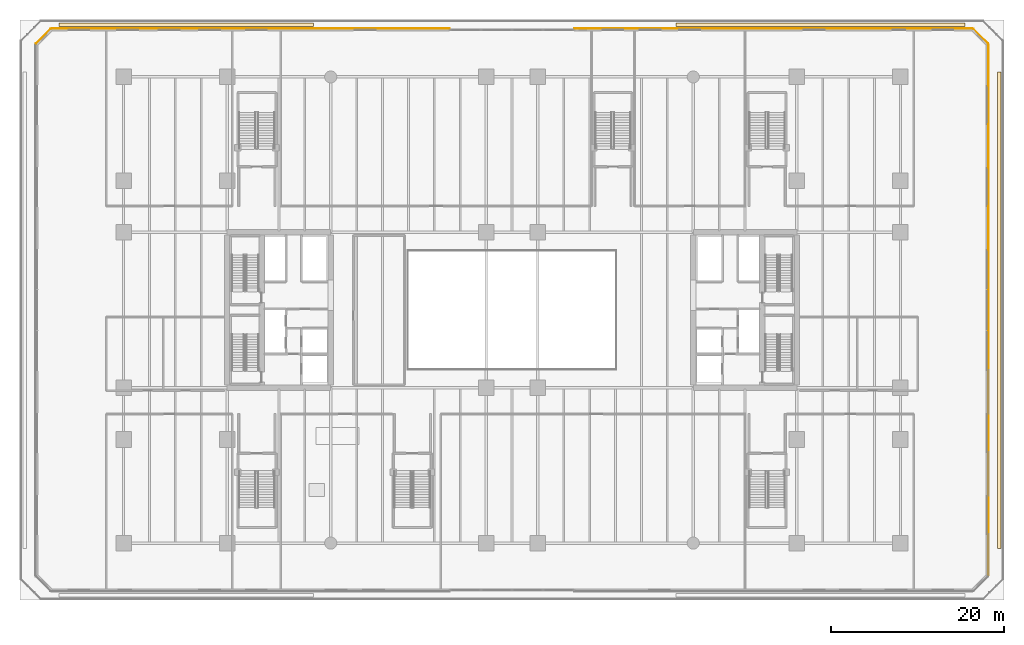
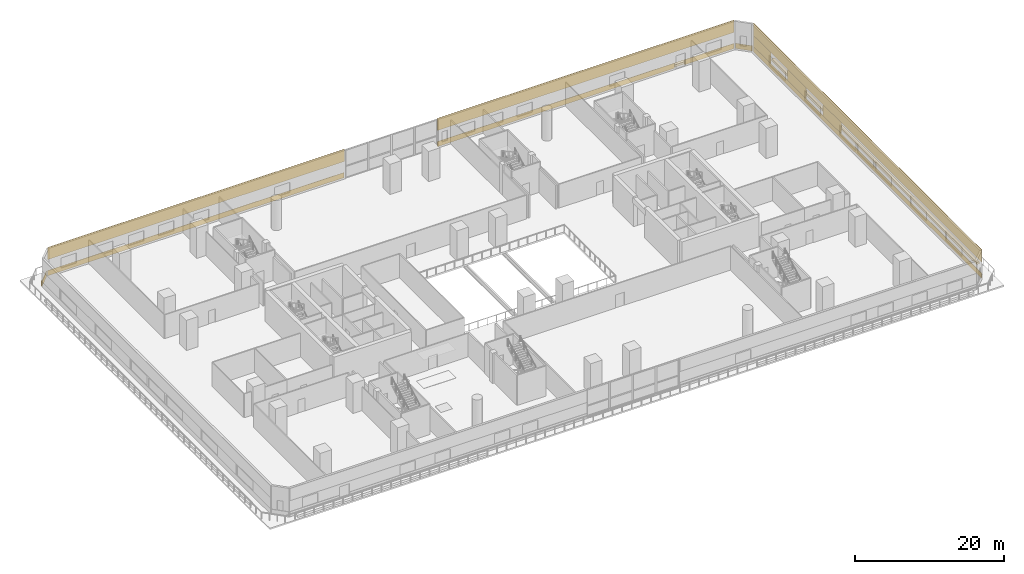
# One storey, part 24 of 24: 15 coverings.
"""IFC4 building model written with IfcOpenShell, lengths in metres."""

from ifc_helpers import new_model, si_unit, direction, frame, origin, origin_2d, place, context, subcontext, project, spatial, polyline, rectangle, outline, extrude, material, layer, layer_set, type_object, element, save


model = new_model("IFC4")

# Units and contexts
model_context = context("Model", 3, precision=1e-05, world=origin(), true_north=direction((0.0, 1.0)))
body_context = subcontext(model_context, "Body", "Model", "MODEL_VIEW")
ifc_project = project(units=[si_unit("LENGTHUNIT", "METRE"), si_unit("AREAUNIT", "SQUARE_METRE"), si_unit("VOLUMEUNIT", "CUBIC_METRE"), si_unit("PLANEANGLEUNIT", "RADIAN"), si_unit("MASSUNIT", "GRAM", prefix="KILO")], contexts=[model_context])

# Site, building, storey
site_placement = place(None, origin())
site = spatial("IfcSite", under=ifc_project, at=site_placement, CompositionType="ELEMENT")
building_placement = place(site_placement, origin())
building = spatial("IfcBuilding", under=site, at=building_placement, Name="Tanjung Sevakor Pilgrim Tower", CompositionType="ELEMENT")
storey_placement = place(building_placement, frame((0.0, 0.0, 4.949951171875)))
storey = spatial("IfcBuildingStorey", under=building, at=storey_placement, Name="L02", CompositionType="ELEMENT", Elevation=4.949951171875)

# Coverings
ifc_material_1 = material(Name="Reconstructed Limestone Cladding", Category="masonry")
ifc_layer_1 = layer(ifc_material_1, 0.044921875)
ifc_layer_set_1 = layer_set([ifc_layer_1], Name="COV-CLAD-LIMESTONE")
covering_type_1 = type_object("IfcCoveringType", Name="COV-CLAD-LIMESTONE", PredefinedType="CLADDING", material=ifc_layer_set_1)
covering_1_placement = place(storey_placement, frame((112.222412109375, 33.60009765625, 0.009765625), z_axis=(0.0, 0.0, 1.0), x_axis=(0.0, 1.0, 0.0)))
element("IfcCovering", 1, at=covering_1_placement, inside=storey, type_object=covering_type_1, Name="L02 Warm Limestone Sill Spandrel EW-L02-MAIN-3-1", PredefinedType="CLADDING", context=body_context, shape_type="SweptSolid", body=[
    extrude(rectangle(XDim=61.395751953125, YDim=0.044921875, at=origin_2d()), origin(), (0.0, 0.0, 1.0), 0.840087890625),
])
covering_2_placement = place(storey_placement, frame((112.222412109375, 33.60009765625, 2.66015625), z_axis=(0.0, 0.0, 1.0), x_axis=(0.0, 1.0, 0.0)))
element("IfcCovering", 2, at=covering_2_placement, inside=storey, type_object=covering_type_1, Name="L02 Warm Limestone Cornice Spandrel EW-L02-MAIN-3", PredefinedType="CLADDING", context=body_context, shape_type="SweptSolid", body=[
    extrude(rectangle(XDim=61.435791015625, YDim=0.044921875, at=origin_2d()), origin(), (0.0, 0.0, 1.0), 2.0),
])
for number, where, z_axis, x_axis, name in (
    (3, (112.222412109375, 43.10009765625, 0.85009765625), (0.0, 0.0, 1.0), (0.0, 1.0, 0.0), "L02 Warm Limestone Pier Panel EW-L02-MAIN-3-4"),
    (4, (112.222412109375, 52.60009765625, 0.85009765625), (0.0, 0.0, 1.0), (0.0, 1.0, 0.0), "L02 Warm Limestone Pier Panel EW-L02-MAIN-3-5"),
):
    element("IfcCovering", number, at=place(storey_placement, frame(where, z_axis=z_axis, x_axis=x_axis)), inside=storey, type_object=covering_type_1, Name=name, PredefinedType="CLADDING", context=body_context, shape_type="SweptSolid", body=[
        extrude(rectangle(XDim=5.0, YDim=0.044921875, at=origin_2d()), origin(), (0.0, 0.0, 1.0), 1.81005859375),
    ])
covering_3_placement = place(storey_placement, frame((112.222412109375, 61.948974609375, 0.85009765625), z_axis=(0.0, 0.0, 1.0), x_axis=(0.0, 1.0, 0.0)))
element("IfcCovering", 5, at=covering_3_placement, inside=storey, type_object=covering_type_1, Name="L02 Warm Limestone Pier Panel EW-L02-MAIN-3-6", PredefinedType="CLADDING", context=body_context, shape_type="SweptSolid", body=[
    extrude(rectangle(XDim=4.697998046875, YDim=0.044921875, at=origin_2d()), origin(), (0.0, 0.0, 1.0), 1.81005859375),
])
covering_4_placement = place(storey_placement, frame((111.31591796875, 65.31591796875, 0.009765625), z_axis=(0.0, 0.0, 1.0), x_axis=(-0.707106781187, 0.707106781187, 0.0)))
element("IfcCovering", 6, at=covering_4_placement, inside=storey, type_object=covering_type_1, Name="L02 Warm Limestone Sill Spandrel EW-L02-MAIN-4-1", PredefinedType="CLADDING", context=body_context, shape_type="SweptSolid", body=[
    extrude(rectangle(XDim=2.34130859375, YDim=0.044921875, at=origin_2d()), origin(), (0.0, 0.0, 1.0), 0.840087890625),
])
covering_5_placement = place(storey_placement, frame((106.472900390625, 66.222412109375, 0.009765625), z_axis=(0.0, 0.0, 1.0), x_axis=(-1.0, 0.0, 0.0)))
element("IfcCovering", 7, at=covering_5_placement, inside=storey, type_object=covering_type_1, Name="L02 Warm Limestone Sill Spandrel EW-L02-N1-1", PredefinedType="CLADDING", context=body_context, shape_type="SweptSolid", body=[
    extrude(rectangle(XDim=7.64990234375, YDim=0.044921875, at=origin_2d()), origin(), (0.0, 0.0, 1.0), 0.840087890625),
])
covering_6_placement = place(storey_placement, frame((82.6337890625, 66.222412109375, 0.009765625), z_axis=(0.0, 0.0, 1.0), x_axis=(-1.0, 0.0, 0.0)))
element("IfcCovering", 8, at=covering_6_placement, inside=storey, type_object=covering_type_1, Name="L02 Warm Limestone Sill Spandrel EW-L02-N1-2", PredefinedType="CLADDING", context=body_context, shape_type="SweptSolid", body=[
    extrude(rectangle(XDim=36.787841796875, YDim=0.044921875, at=origin_2d()), origin(), (0.0, 0.0, 1.0), 0.840087890625),
])
covering_7_placement = place(storey_placement, frame((87.26904296875, 66.222412109375, 2.66015625), z_axis=(0.0, 0.0, 1.0), x_axis=(-1.0, 0.0, 0.0)))
element("IfcCovering", 9, at=covering_7_placement, inside=storey, type_object=covering_type_1, Name="L02 Warm Limestone Cornice Spandrel EW-L02-N1", PredefinedType="CLADDING", context=body_context, shape_type="SweptSolid", body=[
    extrude(rectangle(XDim=46.097900390625, YDim=0.044921875, at=origin_2d()), origin(), (0.0, 0.0, 1.0), 2.0),
])
covering_8_placement = place(storey_placement, frame((26.73095703125, 66.222412109375, 0.009765625), z_axis=(0.0, 0.0, 1.0), x_axis=(-1.0, 0.0, 0.0)))
element("IfcCovering", 10, at=covering_8_placement, inside=storey, type_object=covering_type_1, Name="L02 Warm Limestone Sill Spandrel EW-L02-N2-1", PredefinedType="CLADDING", context=body_context, shape_type="SweptSolid", body=[
    extrude(rectangle(XDim=46.057861328125, YDim=0.044921875, at=origin_2d()), origin(), (0.0, 0.0, 1.0), 0.840087890625),
])
covering_9_placement = place(storey_placement, frame((26.73095703125, 66.222412109375, 2.66015625), z_axis=(0.0, 0.0, 1.0), x_axis=(-1.0, 0.0, 0.0)))
element("IfcCovering", 11, at=covering_9_placement, inside=storey, type_object=covering_type_1, Name="L02 Warm Limestone Cornice Spandrel EW-L02-N2", PredefinedType="CLADDING", context=body_context, shape_type="SweptSolid", body=[
    extrude(rectangle(XDim=46.097900390625, YDim=0.044921875, at=origin_2d()), origin(), (0.0, 0.0, 1.0), 2.0),
])
covering_10_placement = place(storey_placement, frame((2.68408203125, 65.31591796875, 0.009765625), z_axis=(0.0, 0.0, 1.0), x_axis=(-0.707106781187, -0.707106781187, 0.0)))
element("IfcCovering", 12, at=covering_10_placement, inside=storey, type_object=covering_type_1, Name="L02 Warm Limestone Sill Spandrel EW-L02-MAIN-6-1", PredefinedType="CLADDING", context=body_context, shape_type="SweptSolid", body=[
    extrude(rectangle(XDim=2.34130859375, YDim=0.044921875, at=origin_2d()), origin(), (0.0, 0.0, 1.0), 0.840087890625),
])
ifc_material_2 = material(Name="Vegetated Modular Planter Assembly", Category="organic")
ifc_layer_2 = layer(ifc_material_2, 0.35009765625)
ifc_layer_set_2 = layer_set([ifc_layer_2], Name="COV-GRN-TROUGH")
covering_type_2 = type_object("IfcCoveringType", Name="COV-GRN-TROUGH", PredefinedType="CLADDING", material=ifc_layer_set_2)
covering_11_placement = place(storey_placement, origin())
element("IfcCovering", 13, at=covering_11_placement, inside=storey, type_object=covering_type_2, Name="L02 Planted Landscape Hedge Trough PGRN-L02-NW", PredefinedType="CLADDING", context=body_context, shape_type="SweptSolid", body=[
    extrude(outline(polyline([(4.5, 66.429931640625), (34.0, 66.429931640625), (34.0, 66.8701171875), (4.5, 66.8701171875), (4.5, 66.429931640625)])), origin(), (0.0, 0.0, 1.0), 0.35009765625),
])
covering_12_placement = place(storey_placement, origin())
element("IfcCovering", 14, at=covering_12_placement, inside=storey, type_object=covering_type_2, Name="L02 Planted Landscape Hedge Trough PGRN-L02-NE", PredefinedType="CLADDING", context=body_context, shape_type="SweptSolid", body=[
    extrude(outline(polyline([(76.0, 66.429931640625), (109.5, 66.429931640625), (109.5, 66.8701171875), (76.0, 66.8701171875), (76.0, 66.429931640625)])), origin(), (0.0, 0.0, 1.0), 0.35009765625),
])
covering_13_placement = place(storey_placement, origin())
element("IfcCovering", 15, at=covering_13_placement, inside=storey, type_object=covering_type_2, Name="L02 Planted Landscape Hedge Trough PGRN-L02-E", PredefinedType="CLADDING", context=body_context, shape_type="SweptSolid", body=[
    extrude(outline(polyline([(113.669921875, 6.0), (113.669921875, 61.199951171875), (113.22998046875, 61.199951171875), (113.22998046875, 6.0), (113.669921875, 6.0)])), origin(), (0.0, 0.0, 1.0), 0.35009765625),
])

save(model, "model.ifc")
